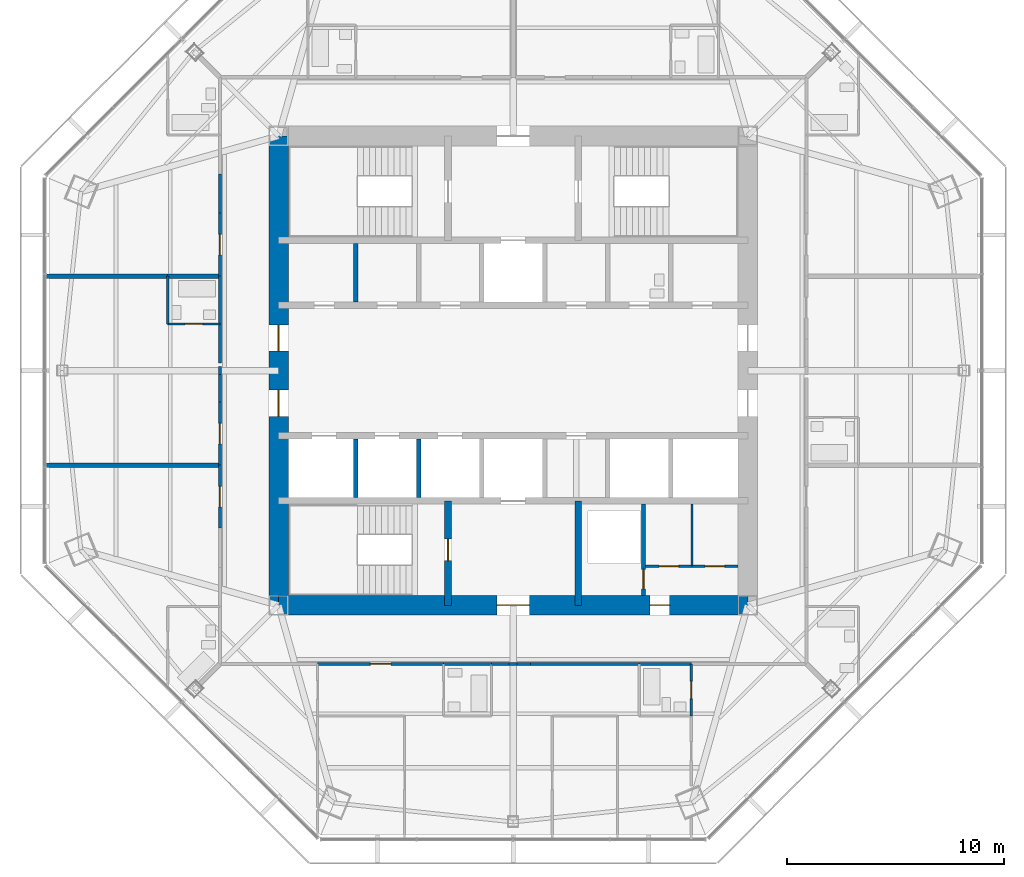
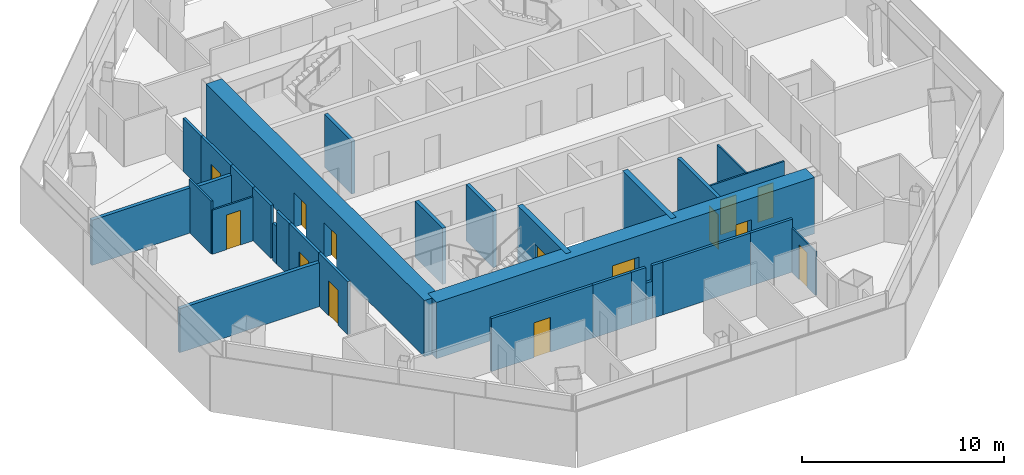
# One storey, part 9 of 15: 31 walls, 14 doors, 14 openings.
"""IFC4 building model written with IfcOpenShell, lengths in metres."""

from ifc_helpers import new_model, si_unit, direction, frame, frame_2d, origin, place, context, subcontext, project, spatial, rectangle, extrude, material, layer, layer_set, type_object, element, fill, save


model = new_model("IFC4")

# Units and contexts
model_context = context("Model", 3, precision=1e-05, world=origin(), true_north=direction((0.0, 1.0)))
body_context = subcontext(model_context, "Body", "Model", "MODEL_VIEW")
ifc_project = project(units=[si_unit("LENGTHUNIT", "METRE"), si_unit("AREAUNIT", "SQUARE_METRE"), si_unit("VOLUMEUNIT", "CUBIC_METRE"), si_unit("PLANEANGLEUNIT", "RADIAN"), si_unit("MASSUNIT", "GRAM", prefix="KILO")], contexts=[model_context])

# Site, building, storey
site_placement = place(None, origin())
site = spatial("IfcSite", under=ifc_project, at=site_placement, CompositionType="ELEMENT")
building_placement = place(site_placement, origin())
building = spatial("IfcBuilding", under=site, at=building_placement, Name="Mashrafa Tower", CompositionType="ELEMENT")
storey_placement = place(building_placement, frame((0.0, 0.0, 227.800048828125)))
storey = spatial("IfcBuildingStorey", under=building, at=storey_placement, Name="L53", CompositionType="ELEMENT", Elevation=227.800048828125)

# Walls
ifc_material_1 = material(Name="Gypsum board on steel studs", Category="steel")
ifc_layer_1 = layer(ifc_material_1, 0.199951171875)
ifc_layer_set_1 = layer_set([ifc_layer_1], Name="Acoustic partition 200 1 hr")
wall_type_1 = type_object("IfcWallType", Name="Acoustic partition 200 1 hr", PredefinedType="PARTITIONING", material=ifc_layer_set_1)
wall_1_placement = place(storey_placement, frame((-15.90087890625, 4.35009765625, 0.0), z_axis=(0.0, 0.0, 1.0), x_axis=(1.0, 0.0, 0.0)))
element("IfcWall", 1, at=wall_1_placement, inside=storey, type_object=wall_type_1, Name="Acoustic wall L53-069", PredefinedType="PARTITIONING", context=body_context, shape_type="SweptSolid", body=[
    extrude(rectangle(XDim=2.40087890625, YDim=0.199951171875, at=frame_2d((1.200439453125, 0.0))), origin(), (0.0, 0.0, 1.0), 2.6640625),
])
wall_2_placement = place(storey_placement, frame((-21.552490234375, 4.35009765625, 0.0), z_axis=(0.0, 0.0, 1.0), x_axis=(1.0, 0.0, 0.0)))
element("IfcWall", 2, at=wall_2_placement, inside=storey, type_object=wall_type_1, Name="Acoustic wall L53-070", PredefinedType="PARTITIONING", context=body_context, shape_type="SweptSolid", body=[
    extrude(rectangle(XDim=5.653564453125, YDim=0.199951171875, at=frame_2d((2.82666015625, 0.0))), origin(), (0.0, 0.0, 1.0), 2.730224609375),
])
wall_3_placement = place(storey_placement, frame((-21.552490234375, -4.35009765625, 0.0), z_axis=(0.0, 0.0, 1.0), x_axis=(1.0, 0.0, 0.0)))
element("IfcWall", 3, at=wall_3_placement, inside=storey, type_object=wall_type_1, Name="Acoustic wall L53-073", PredefinedType="PARTITIONING", context=body_context, shape_type="SweptSolid", body=[
    extrude(rectangle(XDim=8.052490234375, YDim=0.199951171875, at=frame_2d((4.0263671875, 0.0))), origin(), (0.0, 0.0, 1.0), 2.6640625),
])

# Wall, opening, door
ifc_material_2 = material(Name="Concrete masonry unit", Category="masonry")
ifc_layer_2 = layer(ifc_material_2, 0.199951171875)
ifc_layer_set_2 = layer_set([ifc_layer_2], Name="Blockwork wall 200 2 hr")
wall_type_2 = type_object("IfcWallType", Name="Blockwork wall 200 2 hr", PredefinedType="PARTITIONING", material=ifc_layer_set_2)
wall_4_placement = place(storey_placement, frame((6.0, -10.35009765625, 0.0), z_axis=(0.0, 0.0, 1.0), x_axis=(0.0, 1.0, 0.0)))
wall_4 = element("IfcWall", 4, at=wall_4_placement, inside=storey, type_object=wall_type_2, Name="Riser enclosure wall L53", PredefinedType="PARTITIONING", context=body_context, shape_type="SweptSolid", body=[
    extrude(rectangle(XDim=4.2001953125, YDim=0.199951171875, at=frame_2d((2.10009765625, 0.0))), origin(), (0.0, 0.0, 1.0), 3.199951171875),
])
opening_1_placement = place(wall_4_placement, frame((0.300048828125, 0.0, 0.0)))
opening_1 = element("IfcOpeningElement", 5, at=opening_1_placement, cuts=wall_4, Name="Opening 53.036", PredefinedType="OPENING", context=body_context, shape_type="SweptSolid", body=[
    extrude(rectangle(XDim=0.89990234375, YDim=2.10009765625, at=frame_2d((0.449951171875, 1.050048828125))), frame((0.0, 0.10986328125, 0.0), z_axis=(0.0, -1.0, 0.0), x_axis=(1.0, 0.0, 0.0)), (0.0, 0.0, 1.0), 0.219970703125),
])
ifc_material_3 = material(Name="Steel door", Category="steel")
door_type_1 = type_object("IfcDoorType", Name="Service door 900 x 2100 90 min", OperationType="USERDEFINED", PredefinedType="DOOR", material=ifc_material_3)
door_1_placement = place(opening_1_placement, origin())
door_1 = element("IfcDoor", 6, at=door_1_placement, inside=storey, type_object=door_type_1, Name="Riser door L53", OperationType="SINGLE_SWING_LEFT", OverallHeight=2.10009765625, OverallWidth=0.89990234375, PredefinedType="DOOR", context=body_context, shape_type="SweptSolid", body=[
    extrude(rectangle(XDim=0.89990234375, YDim=2.10009765625, at=frame_2d((0.449951171875, 1.050048828125))), frame((0.0, 0.02490234375, 0.0), z_axis=(0.0, -1.0, 0.0), x_axis=(1.0, 0.0, 0.0)), (0.0, 0.0, 1.0), 0.050048828125),
])
fill(opening_1, door_1)

ifc_material_4 = material(Name="Concrete C50/60", Category="concrete")
ifc_layer_3 = layer(ifc_material_4, 0.300048828125)
ifc_layer_set_3 = layer_set([ifc_layer_3], Name="Core wall 300 C50/60")
wall_type_3 = type_object("IfcWallType", Name="Core wall 300 C50/60", PredefinedType="SOLIDWALL", material=ifc_layer_set_3)
wall_5_placement = place(storey_placement, frame((-3.0, -6.0, 0.0), z_axis=(0.0, 0.0, 1.0), x_axis=(0.0, -1.0, 0.0)))
wall_5 = element("IfcWall", 7, at=wall_5_placement, inside=storey, type_object=wall_type_3, Name="Core wall CX-SW L53", PredefinedType="SOLIDWALL", context=body_context, shape_type="SweptSolid", body=[
    extrude(rectangle(XDim=4.800048828125, YDim=0.300048828125, at=frame_2d((2.39990234375, 0.0))), origin(), (0.0, 0.0, 1.0), 3.39990234375),
])
opening_2_placement = place(wall_5_placement, frame((1.75, 0.0, 0.0)))
opening_2 = element("IfcOpeningElement", 8, at=opening_2_placement, cuts=wall_5, Name="Opening 53.034", PredefinedType="OPENING", context=body_context, shape_type="SweptSolid", body=[
    extrude(rectangle(XDim=1.0, YDim=2.10009765625, at=frame_2d((0.5, 1.050048828125))), frame((0.0, 0.159912109375, 0.0), z_axis=(0.0, -1.0, 0.0), x_axis=(1.0, 0.0, 0.0)), (0.0, 0.0, 1.0), 0.320068359375),
])
ifc_material_5 = material(Name="Steel door", Category="steel")
door_type_2 = type_object("IfcDoorType", Name="Stair door 1000 x 2100 90 min", OperationType="USERDEFINED", PredefinedType="DOOR", material=ifc_material_5)
door_2_placement = place(opening_2_placement, frame((1.0, 0.0, 0.0), z_axis=(0.0, 0.0, 1.0), x_axis=(-1.0, 0.0, 0.0)))
door_2 = element("IfcDoor", 9, at=door_2_placement, inside=storey, type_object=door_type_2, Name="Stair S3 door L53", OperationType="SINGLE_SWING_RIGHT", OverallHeight=2.10009765625, OverallWidth=1.0, PredefinedType="DOOR", context=body_context, shape_type="SweptSolid", body=[
    extrude(rectangle(XDim=1.0, YDim=2.10009765625, at=frame_2d((0.5, 1.050048828125))), frame((0.0, 0.02490234375, 0.0), z_axis=(0.0, -1.0, 0.0), x_axis=(1.0, 0.0, 0.0)), (0.0, 0.0, 1.0), 0.050048828125),
])
fill(opening_2, door_2)

# Wall
wall_6_placement = place(storey_placement, frame((3.0, -6.0, 0.0), z_axis=(0.0, 0.0, 1.0), x_axis=(0.0, -1.0, 0.0)))
element("IfcWall", 10, at=wall_6_placement, inside=storey, type_object=wall_type_3, Name="Core wall CX-SE L53", PredefinedType="SOLIDWALL", context=body_context, shape_type="SweptSolid", body=[
    extrude(rectangle(XDim=4.800048828125, YDim=0.300048828125, at=frame_2d((2.39990234375, 0.0))), origin(), (0.0, 0.0, 1.0), 3.39990234375),
])

# Wall, openings, doors
ifc_material_6 = material(Name="Concrete C50/60", Category="concrete")
ifc_layer_4 = layer(ifc_material_6, 0.89990234375)
ifc_layer_set_4 = layer_set([ifc_layer_4], Name="Core wall 900 C50/60")
wall_type_4 = type_object("IfcWallType", Name="Core wall 900 C50/60", PredefinedType="SOLIDWALL", material=ifc_layer_set_4)
wall_7_placement = place(storey_placement, frame((-10.800048828125, -10.800048828125, 0.0), z_axis=(0.0, 0.0, 1.0), x_axis=(1.0, 0.0, 0.0)))
wall_7 = element("IfcWall", 11, at=wall_7_placement, inside=storey, type_object=wall_type_4, Name="Core wall CW-S L53", PredefinedType="SOLIDWALL", context=body_context, shape_type="SweptSolid", body=[
    extrude(rectangle(XDim=21.60009765625, YDim=0.89990234375, at=frame_2d((10.800048828125, 0.0))), origin(), (0.0, 0.0, 1.0), 3.39990234375),
])
opening_3_placement = place(wall_7_placement, frame((10.050048828125, 0.0, 0.0)))
opening_3 = element("IfcOpeningElement", 12, at=opening_3_placement, cuts=wall_7, Name="Opening 53.031", PredefinedType="OPENING", context=body_context, shape_type="SweptSolid", body=[
    extrude(rectangle(XDim=1.5, YDim=2.10009765625, at=frame_2d((0.75, 1.050048828125))), frame((0.0, 0.4599609375, 0.0), z_axis=(0.0, -1.0, 0.0), x_axis=(1.0, 0.0, 0.0)), (0.0, 0.0, 1.0), 0.919921875),
])
opening_4_placement = place(wall_7_placement, frame((17.10009765625, 0.0, 0.0)))
opening_4 = element("IfcOpeningElement", 13, at=opening_4_placement, cuts=wall_7, Name="Opening 53.035", PredefinedType="OPENING", context=body_context, shape_type="SweptSolid", body=[
    extrude(rectangle(XDim=0.89990234375, YDim=2.10009765625, at=frame_2d((0.449951171875, 1.050048828125))), frame((0.0, 0.4599609375, 0.0), z_axis=(0.0, -1.0, 0.0), x_axis=(1.0, 0.0, 0.0)), (0.0, 0.0, 1.0), 0.919921875),
])
ifc_material_7 = material(Name="Steel door", Category="steel")
door_type_3 = type_object("IfcDoorType", Name="Lobby door pair 1500 x 2100 90 min", OperationType="DOUBLE_DOOR_SINGLE_SWING", PredefinedType="DOOR", material=ifc_material_7)
door_3_placement = place(opening_3_placement, origin())
door_3 = element("IfcDoor", 14, at=door_3_placement, inside=storey, type_object=door_type_3, Name="Fire-fighting lobby F2 door L53", OperationType="DOUBLE_DOOR_SINGLE_SWING", OverallHeight=2.10009765625, OverallWidth=1.5, PredefinedType="DOOR", context=body_context, shape_type="SweptSolid", body=[
    extrude(rectangle(XDim=1.5, YDim=2.10009765625, at=frame_2d((0.75, 1.050048828125))), frame((0.0, 0.02490234375, 0.0), z_axis=(0.0, -1.0, 0.0), x_axis=(1.0, 0.0, 0.0)), (0.0, 0.0, 1.0), 0.050048828125),
])
fill(opening_3, door_3)
door_4_placement = place(opening_4_placement, frame((0.89990234375, 0.0, 0.0), z_axis=(0.0, 0.0, 1.0), x_axis=(-1.0, 0.0, 0.0)))
door_4 = element("IfcDoor", 15, at=door_4_placement, inside=storey, type_object=door_type_1, Name="Services Lobby L53 door", OperationType="SINGLE_SWING_LEFT", OverallHeight=2.10009765625, OverallWidth=0.89990234375, PredefinedType="DOOR", context=body_context, shape_type="SweptSolid", body=[
    extrude(rectangle(XDim=0.89990234375, YDim=2.10009765625, at=frame_2d((0.449951171875, 1.050048828125))), frame((0.0, 0.02490234375, 0.0), z_axis=(0.0, -1.0, 0.0), x_axis=(1.0, 0.0, 0.0)), (0.0, 0.0, 1.0), 0.050048828125),
])
fill(opening_4, door_4)

wall_8_placement = place(storey_placement, frame((-10.800048828125, 10.800048828125, 0.0), z_axis=(0.0, 0.0, 1.0), x_axis=(0.0, -1.0, 0.0)))
wall_8 = element("IfcWall", 16, at=wall_8_placement, inside=storey, type_object=wall_type_4, Name="Core wall CW-W L53", PredefinedType="SOLIDWALL", context=body_context, shape_type="SweptSolid", body=[
    extrude(rectangle(XDim=21.60009765625, YDim=0.89990234375, at=frame_2d((10.800048828125, 0.0))), origin(), (0.0, 0.0, 1.0), 3.39990234375),
])
opening_5_placement = place(wall_8_placement, frame((8.699951171875, 0.0, 0.0)))
opening_5 = element("IfcOpeningElement", 17, at=opening_5_placement, cuts=wall_8, Name="Opening 53.027", PredefinedType="OPENING", context=body_context, shape_type="SweptSolid", body=[
    extrude(rectangle(XDim=1.199951171875, YDim=2.10009765625, at=frame_2d((0.60009765625, 1.050048828125))), frame((0.0, 0.4599609375, 0.0), z_axis=(0.0, -1.0, 0.0), x_axis=(1.0, 0.0, 0.0)), (0.0, 0.0, 1.0), 0.919921875),
])
opening_6_placement = place(wall_8_placement, frame((11.699951171875, 0.0, 0.0)))
opening_6 = element("IfcOpeningElement", 18, at=opening_6_placement, cuts=wall_8, Name="Opening 53.029", PredefinedType="OPENING", context=body_context, shape_type="SweptSolid", body=[
    extrude(rectangle(XDim=1.199951171875, YDim=2.10009765625, at=frame_2d((0.60009765625, 1.050048828125))), frame((0.0, 0.4599609375, 0.0), z_axis=(0.0, -1.0, 0.0), x_axis=(1.0, 0.0, 0.0)), (0.0, 0.0, 1.0), 0.919921875),
])
ifc_material_8 = material(Name="Steel door", Category="steel")
door_type_4 = type_object("IfcDoorType", Name="Lift hall door 1200 x 2100 90 min", OperationType="USERDEFINED", PredefinedType="DOOR", material=ifc_material_8)
door_5_placement = place(opening_5_placement, frame((1.199951171875, 0.0, 0.0), z_axis=(0.0, 0.0, 1.0), x_axis=(-1.0, 0.0, 0.0)))
door_5 = element("IfcDoor", 19, at=door_5_placement, inside=storey, type_object=door_type_4, Name="Lift hall door west L53", OperationType="SINGLE_SWING_RIGHT", OverallHeight=2.10009765625, OverallWidth=1.199951171875, PredefinedType="DOOR", context=body_context, shape_type="SweptSolid", body=[
    extrude(rectangle(XDim=1.199951171875, YDim=2.10009765625, at=frame_2d((0.60009765625, 1.050048828125))), frame((0.0, 0.02490234375, 0.0), z_axis=(0.0, -1.0, 0.0), x_axis=(1.0, 0.0, 0.0)), (0.0, 0.0, 1.0), 0.050048828125),
])
fill(opening_5, door_5)
door_6_placement = place(opening_6_placement, frame((1.199951171875, 0.0, 0.0), z_axis=(0.0, 0.0, 1.0), x_axis=(-1.0, 0.0, 0.0)))
door_6 = element("IfcDoor", 20, at=door_6_placement, inside=storey, type_object=door_type_4, Name="Lift hall door west L53", OperationType="SINGLE_SWING_LEFT", OverallHeight=2.10009765625, OverallWidth=1.199951171875, PredefinedType="DOOR", context=body_context, shape_type="SweptSolid", body=[
    extrude(rectangle(XDim=1.199951171875, YDim=2.10009765625, at=frame_2d((0.60009765625, 1.050048828125))), frame((0.0, 0.02490234375, 0.0), z_axis=(0.0, -1.0, 0.0), x_axis=(1.0, 0.0, 0.0)), (0.0, 0.0, 1.0), 0.050048828125),
])
fill(opening_6, door_6)

# Wall
ifc_material_9 = material(Name="Gypsum board on steel studs", Category="steel")
ifc_layer_5 = layer(ifc_material_9, 0.14990234375)
ifc_layer_set_5 = layer_set([ifc_layer_5], Name="Corridor partition 150 1 hr")
wall_type_5 = type_object("IfcWallType", Name="Corridor partition 150 1 hr", PredefinedType="PARTITIONING", material=ifc_layer_set_5)
wall_9_placement = place(storey_placement, frame((-13.5, 9.051025390625, 0.0), z_axis=(0.0, 0.0, 1.0), x_axis=(0.0, -1.0, 0.0)))
element("IfcWall", 21, at=wall_9_placement, inside=storey, type_object=wall_type_5, Name="Corridor wall L53-025", PredefinedType="PARTITIONING", context=body_context, shape_type="SweptSolid", body=[
    extrude(rectangle(XDim=1.802001953125, YDim=0.14990234375, at=frame_2d((0.90087890625, 0.0))), origin(), (0.0, 0.0, 1.0), 3.199951171875),
])

# Wall, opening, door
wall_10_placement = place(storey_placement, frame((-13.5, 7.2509765625, 0.0), z_axis=(0.0, 0.0, 1.0), x_axis=(0.0, -1.0, 0.0)))
wall_10 = element("IfcWall", 22, at=wall_10_placement, inside=storey, type_object=wall_type_5, Name="Corridor wall L53-026", PredefinedType="PARTITIONING", context=body_context, shape_type="SweptSolid", body=[
    extrude(rectangle(XDim=2.90185546875, YDim=0.14990234375, at=frame_2d((1.450927734375, 0.0))), origin(), (0.0, 0.0, 1.0), 3.199951171875),
])
opening_7_placement = place(wall_10_placement, frame((0.97607421875, 0.0, 0.0)))
opening_7 = element("IfcOpeningElement", 23, at=opening_7_placement, cuts=wall_10, Name="Opening 53.014", PredefinedType="OPENING", context=body_context, shape_type="SweptSolid", body=[
    extrude(rectangle(XDim=0.949951171875, YDim=2.10009765625, at=frame_2d((0.47509765625, 1.050048828125))), frame((0.0, 0.0849609375, 0.0), z_axis=(0.0, -1.0, 0.0), x_axis=(1.0, 0.0, 0.0)), (0.0, 0.0, 1.0), 0.169921875),
])
ifc_material_10 = material(Name="Steel door", Category="steel")
door_type_5 = type_object("IfcDoorType", Name="Residence entrance door 950 x 2100 20 min", OperationType="USERDEFINED", PredefinedType="DOOR", material=ifc_material_10)
door_7_placement = place(opening_7_placement, frame((0.949951171875, 0.0, 0.0), z_axis=(0.0, 0.0, 1.0), x_axis=(-1.0, 0.0, 0.0)))
door_7 = element("IfcDoor", 24, at=door_7_placement, inside=storey, type_object=door_type_5, Name="Apartment 5306 Studio Living Room door", OperationType="SINGLE_SWING_LEFT", OverallHeight=2.10009765625, OverallWidth=0.949951171875, PredefinedType="DOOR", context=body_context, shape_type="SweptSolid", body=[
    extrude(rectangle(XDim=0.949951171875, YDim=2.10009765625, at=frame_2d((0.47509765625, 1.050048828125))), frame((0.0, 0.02490234375, 0.0), z_axis=(0.0, -1.0, 0.0), x_axis=(1.0, 0.0, 0.0)), (0.0, 0.0, 1.0), 0.050048828125),
])
fill(opening_7, door_7)

# Walls
wall_11_placement = place(storey_placement, frame((-13.5, 4.35107421875, 0.0), z_axis=(0.0, 0.0, 1.0), x_axis=(0.0, -1.0, 0.0)))
element("IfcWall", 25, at=wall_11_placement, inside=storey, type_object=wall_type_5, Name="Corridor wall L53-028", PredefinedType="PARTITIONING", context=body_context, shape_type="SweptSolid", body=[
    extrude(rectangle(XDim=2.2021484375, YDim=0.14990234375, at=frame_2d((1.10107421875, 0.0))), origin(), (0.0, 0.0, 1.0), 3.199951171875),
])
wall_12_placement = place(storey_placement, frame((-13.5, -0.18359375, 0.0), z_axis=(0.0, 0.0, 1.0), x_axis=(0.0, -1.0, 0.0)))
element("IfcWall", 26, at=wall_12_placement, inside=storey, type_object=wall_type_5, Name="Corridor wall L53-029", PredefinedType="PARTITIONING", context=body_context, shape_type="SweptSolid", body=[
    extrude(rectangle(XDim=1.267333984375, YDim=0.14990234375, at=frame_2d((0.6337890625, 0.0))), origin(), (0.0, 0.0, 1.0), 3.199951171875),
])
wall_13_placement = place(storey_placement, frame((-13.5, 0.18359375, 0.0), z_axis=(0.0, 0.0, 1.0), x_axis=(0.0, -1.0, 0.0)))
element("IfcWall", 27, at=wall_13_placement, inside=storey, type_object=wall_type_5, Name="Corridor wall L53-030", PredefinedType="PARTITIONING", context=body_context, shape_type="SweptSolid", body=[
    extrude(rectangle(XDim=0.3671875, YDim=0.14990234375, at=frame_2d((0.18359375, 0.0))), origin(), (0.0, 0.0, 1.0), 2.2529296875),
])

# Wall, opening, door
wall_14_placement = place(storey_placement, frame((-13.5, -1.448974609375, 0.0), z_axis=(0.0, 0.0, 1.0), x_axis=(0.0, -1.0, 0.0)))
wall_14 = element("IfcWall", 28, at=wall_14_placement, inside=storey, type_object=wall_type_5, Name="Corridor wall L53-031", PredefinedType="PARTITIONING", context=body_context, shape_type="SweptSolid", body=[
    extrude(rectangle(XDim=2.902099609375, YDim=0.14990234375, at=frame_2d((1.451171875, 0.0))), origin(), (0.0, 0.0, 1.0), 3.199951171875),
])
opening_8_placement = place(wall_14_placement, frame((0.97607421875, 0.0, 0.0)))
opening_8 = element("IfcOpeningElement", 29, at=opening_8_placement, cuts=wall_14, Name="Opening 53.016", PredefinedType="OPENING", context=body_context, shape_type="SweptSolid", body=[
    extrude(rectangle(XDim=0.949951171875, YDim=2.10009765625, at=frame_2d((0.47509765625, 1.050048828125))), frame((0.0, 0.0849609375, 0.0), z_axis=(0.0, -1.0, 0.0), x_axis=(1.0, 0.0, 0.0)), (0.0, 0.0, 1.0), 0.169921875),
])
door_8_placement = place(opening_8_placement, frame((0.949951171875, 0.0, 0.0), z_axis=(0.0, 0.0, 1.0), x_axis=(-1.0, 0.0, 0.0)))
door_8 = element("IfcDoor", 30, at=door_8_placement, inside=storey, type_object=door_type_5, Name="Apartment 5307 Studio Living Room door", OperationType="SINGLE_SWING_LEFT", OverallHeight=2.10009765625, OverallWidth=0.949951171875, PredefinedType="DOOR", context=body_context, shape_type="SweptSolid", body=[
    extrude(rectangle(XDim=0.949951171875, YDim=2.10009765625, at=frame_2d((0.47509765625, 1.050048828125))), frame((0.0, 0.02490234375, 0.0), z_axis=(0.0, -1.0, 0.0), x_axis=(1.0, 0.0, 0.0)), (0.0, 0.0, 1.0), 0.050048828125),
])
fill(opening_8, door_8)

# Wall
wall_15_placement = place(storey_placement, frame((-13.5, 2.15087890625, 0.0), z_axis=(0.0, 0.0, 1.0), x_axis=(0.0, -1.0, 0.0)))
element("IfcWall", 31, at=wall_15_placement, inside=storey, type_object=wall_type_5, Name="Corridor wall L53-032", PredefinedType="PARTITIONING", context=body_context, shape_type="SweptSolid", body=[
    extrude(rectangle(XDim=1.8017578125, YDim=0.14990234375, at=frame_2d((0.90087890625, 0.0))), origin(), (0.0, 0.0, 1.0), 3.199951171875),
])

# Wall, opening, door
wall_16_placement = place(storey_placement, frame((-13.5, -4.34912109375, 0.0), z_axis=(0.0, 0.0, 1.0), x_axis=(0.0, -1.0, 0.0)))
wall_16 = element("IfcWall", 32, at=wall_16_placement, inside=storey, type_object=wall_type_5, Name="Corridor wall L53-036", PredefinedType="PARTITIONING", context=body_context, shape_type="SweptSolid", body=[
    extrude(rectangle(XDim=2.90185546875, YDim=0.14990234375, at=frame_2d((1.450927734375, 0.0))), origin(), (0.0, 0.0, 1.0), 3.199951171875),
])
opening_9_placement = place(wall_16_placement, frame((0.97607421875, 0.0, 0.0)))
opening_9 = element("IfcOpeningElement", 33, at=opening_9_placement, cuts=wall_16, Name="Opening 53.018", PredefinedType="OPENING", context=body_context, shape_type="SweptSolid", body=[
    extrude(rectangle(XDim=0.949951171875, YDim=2.10009765625, at=frame_2d((0.47509765625, 1.050048828125))), frame((0.0, 0.0849609375, 0.0), z_axis=(0.0, -1.0, 0.0), x_axis=(1.0, 0.0, 0.0)), (0.0, 0.0, 1.0), 0.169921875),
])
door_9_placement = place(opening_9_placement, frame((0.949951171875, 0.0, 0.0), z_axis=(0.0, 0.0, 1.0), x_axis=(-1.0, 0.0, 0.0)))
door_9 = element("IfcDoor", 34, at=door_9_placement, inside=storey, type_object=door_type_5, Name="Apartment 5308 Studio Living Room door", OperationType="SINGLE_SWING_RIGHT", OverallHeight=2.10009765625, OverallWidth=0.949951171875, PredefinedType="DOOR", context=body_context, shape_type="SweptSolid", body=[
    extrude(rectangle(XDim=0.949951171875, YDim=2.10009765625, at=frame_2d((0.47509765625, 1.050048828125))), frame((0.0, 0.02490234375, 0.0), z_axis=(0.0, -1.0, 0.0), x_axis=(1.0, 0.0, 0.0)), (0.0, 0.0, 1.0), 0.050048828125),
])
fill(opening_9, door_9)

# Walls
wall_17_placement = place(storey_placement, frame((-3.200927734375, -13.5, 0.0), z_axis=(0.0, 0.0, 1.0), x_axis=(1.0, 0.0, 0.0)))
element("IfcWall", 35, at=wall_17_placement, inside=storey, type_object=wall_type_5, Name="Corridor wall L53-038", PredefinedType="PARTITIONING", context=body_context, shape_type="SweptSolid", body=[
    extrude(rectangle(XDim=2.201904296875, YDim=0.14990234375, at=frame_2d((1.10107421875, 0.0))), origin(), (0.0, 0.0, 1.0), 3.199951171875),
])
wall_18_placement = place(storey_placement, frame((-1.0009765625, -13.5, 0.0), z_axis=(0.0, 0.0, 1.0), x_axis=(1.0, 0.0, 0.0)))
element("IfcWall", 36, at=wall_18_placement, inside=storey, type_object=wall_type_5, Name="Corridor wall L53-039", PredefinedType="PARTITIONING", context=body_context, shape_type="SweptSolid", body=[
    extrude(rectangle(XDim=0.8173828125, YDim=0.14990234375, at=frame_2d((0.40869140625, 0.0))), origin(), (0.0, 0.0, 1.0), 3.199951171875),
])
wall_19_placement = place(storey_placement, frame((0.18359375, -13.5, 0.0), z_axis=(0.0, 0.0, 1.0), x_axis=(1.0, 0.0, 0.0)))
element("IfcWall", 37, at=wall_19_placement, inside=storey, type_object=wall_type_5, Name="Corridor wall L53-040", PredefinedType="PARTITIONING", context=body_context, shape_type="SweptSolid", body=[
    extrude(rectangle(XDim=0.617431640625, YDim=0.14990234375, at=frame_2d((0.30859375, 0.0))), origin(), (0.0, 0.0, 1.0), 3.199951171875),
])
wall_20_placement = place(storey_placement, frame((-0.18359375, -13.5, 0.0), z_axis=(0.0, 0.0, 1.0), x_axis=(1.0, 0.0, 0.0)))
element("IfcWall", 38, at=wall_20_placement, inside=storey, type_object=wall_type_5, Name="Corridor wall L53-041", PredefinedType="PARTITIONING", context=body_context, shape_type="SweptSolid", body=[
    extrude(rectangle(XDim=0.3671875, YDim=0.14990234375, at=frame_2d((0.18359375, 0.0))), origin(), (0.0, 0.0, 1.0), 2.2529296875),
])
wall_21_placement = place(storey_placement, frame((5.799072265625, -13.5, 0.0), z_axis=(0.0, 0.0, 1.0), x_axis=(1.0, 0.0, 0.0)))
element("IfcWall", 39, at=wall_21_placement, inside=storey, type_object=wall_type_5, Name="Corridor wall L53-042", PredefinedType="PARTITIONING", context=body_context, shape_type="SweptSolid", body=[
    extrude(rectangle(XDim=2.40185546875, YDim=0.14990234375, at=frame_2d((1.200927734375, 0.0))), origin(), (0.0, 0.0, 1.0), 3.199951171875),
])

# Wall, opening, door
wall_22_placement = place(storey_placement, frame((-9.0009765625, -13.5, 0.0), z_axis=(0.0, 0.0, 1.0), x_axis=(1.0, 0.0, 0.0)))
wall_22 = element("IfcWall", 40, at=wall_22_placement, inside=storey, type_object=wall_type_5, Name="Corridor wall L53-044", PredefinedType="PARTITIONING", context=body_context, shape_type="SweptSolid", body=[
    extrude(rectangle(XDim=5.802001953125, YDim=0.14990234375, at=frame_2d((2.90087890625, 0.0))), origin(), (0.0, 0.0, 1.0), 3.199951171875),
])
opening_10_placement = place(wall_22_placement, frame((2.426025390625, 0.0, 0.0)))
opening_10 = element("IfcOpeningElement", 41, at=opening_10_placement, cuts=wall_22, Name="Opening 53.024", PredefinedType="OPENING", context=body_context, shape_type="SweptSolid", body=[
    extrude(rectangle(XDim=0.949951171875, YDim=2.10009765625, at=frame_2d((0.47509765625, 1.050048828125))), frame((0.0, 0.0849609375, 0.0), z_axis=(0.0, -1.0, 0.0), x_axis=(1.0, 0.0, 0.0)), (0.0, 0.0, 1.0), 0.169921875),
])
door_10_placement = place(opening_10_placement, frame((0.949951171875, 0.0, 0.0), z_axis=(0.0, 0.0, 1.0), x_axis=(-1.0, 0.0, 0.0)))
door_10 = element("IfcDoor", 42, at=door_10_placement, inside=storey, type_object=door_type_5, Name="Apartment 5309 Living Room door", OperationType="SINGLE_SWING_RIGHT", OverallHeight=2.10009765625, OverallWidth=0.949951171875, PredefinedType="DOOR", context=body_context, shape_type="SweptSolid", body=[
    extrude(rectangle(XDim=0.949951171875, YDim=2.10009765625, at=frame_2d((0.47509765625, 1.050048828125))), frame((0.0, 0.02490234375, 0.0), z_axis=(0.0, -1.0, 0.0), x_axis=(1.0, 0.0, 0.0)), (0.0, 0.0, 1.0), 0.050048828125),
])
fill(opening_10, door_10)

# Walls
wall_23_placement = place(storey_placement, frame((0.799072265625, -13.5, 0.0), z_axis=(0.0, 0.0, 1.0), x_axis=(1.0, 0.0, 0.0)))
element("IfcWall", 43, at=wall_23_placement, inside=storey, type_object=wall_type_5, Name="Corridor wall L53-045", PredefinedType="PARTITIONING", context=body_context, shape_type="SweptSolid", body=[
    extrude(rectangle(XDim=5.001953125, YDim=0.14990234375, at=frame_2d((2.5009765625, 0.0))), origin(), (0.0, 0.0, 1.0), 3.199951171875),
])
ifc_material_11 = material(Name="Gypsum board on steel studs", Category="steel")
ifc_layer_6 = layer(ifc_material_11, 0.10009765625)
ifc_layer_set_6 = layer_set([ifc_layer_6], Name="Partition 100")
wall_type_6 = type_object("IfcWallType", Name="Partition 100", PredefinedType="PARTITIONING", material=ifc_layer_set_6)
wall_24_placement = place(storey_placement, frame((-15.89990234375, 4.35009765625, 0.0), z_axis=(0.0, 0.0, 1.0), x_axis=(0.0, -1.0, 0.0)))
element("IfcWall", 44, at=wall_24_placement, inside=storey, type_object=wall_type_6, Name="Partition wall L53-071", PredefinedType="PARTITIONING", context=body_context, shape_type="SweptSolid", body=[
    extrude(rectangle(XDim=2.2001953125, YDim=0.10009765625, at=frame_2d((1.10009765625, 0.0))), origin(), (0.0, 0.0, 1.0), 3.199951171875),
])

# Wall, opening, door
wall_25_placement = place(storey_placement, frame((-15.89990234375, 2.14990234375, 0.0), z_axis=(0.0, 0.0, 1.0), x_axis=(1.0, 0.0, 0.0)))
wall_25 = element("IfcWall", 45, at=wall_25_placement, inside=storey, type_object=wall_type_6, Name="Partition wall L53-072", PredefinedType="PARTITIONING", context=body_context, shape_type="SweptSolid", body=[
    extrude(rectangle(XDim=2.39990234375, YDim=0.10009765625, at=frame_2d((1.199951171875, 0.0))), origin(), (0.0, 0.0, 1.0), 2.6640625),
])
opening_11_placement = place(wall_25_placement, frame((0.800048828125, 0.0, 0.0)))
opening_11 = element("IfcOpeningElement", 46, at=opening_11_placement, cuts=wall_25, Name="Opening 53.015", PredefinedType="OPENING", context=body_context, shape_type="SweptSolid", body=[
    extrude(rectangle(XDim=0.800048828125, YDim=2.10009765625, at=frame_2d((0.39990234375, 1.050048828125))), frame((0.0, 0.06005859375, 0.0), z_axis=(0.0, -1.0, 0.0), x_axis=(1.0, 0.0, 0.0)), (0.0, 0.0, 1.0), 0.1201171875),
])
ifc_material_12 = material(Name="Timber door", Category="wood")
door_type_6 = type_object("IfcDoorType", Name="Bathroom door 800 x 2100", OperationType="USERDEFINED", PredefinedType="DOOR", material=ifc_material_12)
door_11_placement = place(opening_11_placement, origin())
door_11 = element("IfcDoor", 47, at=door_11_placement, inside=storey, type_object=door_type_6, Name="Apartment 5307 Bathroom door", OperationType="SINGLE_SWING_LEFT", OverallHeight=2.10009765625, OverallWidth=0.800048828125, PredefinedType="DOOR", context=body_context, shape_type="SweptSolid", body=[
    extrude(rectangle(XDim=0.800048828125, YDim=2.10009765625, at=frame_2d((0.39990234375, 1.050048828125))), frame((0.0, 0.02490234375, 0.0), z_axis=(0.0, -1.0, 0.0), x_axis=(1.0, 0.0, 0.0)), (0.0, 0.0, 1.0), 0.050048828125),
])
fill(opening_11, door_11)

wall_26_placement = place(storey_placement, frame((8.199951171875, -15.89990234375, 0.0), z_axis=(0.0, 0.0, 1.0), x_axis=(0.0, 1.0, 0.0)))
wall_26 = element("IfcWall", 48, at=wall_26_placement, inside=storey, type_object=wall_type_6, Name="Partition wall L53-085", PredefinedType="PARTITIONING", context=body_context, shape_type="SweptSolid", body=[
    extrude(rectangle(XDim=2.39990234375, YDim=0.10009765625, at=frame_2d((1.199951171875, 0.0))), origin(), (0.0, 0.0, 1.0), 2.6640625),
])
opening_12_placement = place(wall_26_placement, frame((0.800048828125, 0.0, 0.0)))
opening_12 = element("IfcOpeningElement", 49, at=opening_12_placement, cuts=wall_26, Name="Opening 53.022", PredefinedType="OPENING", context=body_context, shape_type="SweptSolid", body=[
    extrude(rectangle(XDim=0.800048828125, YDim=2.10009765625, at=frame_2d((0.39990234375, 1.050048828125))), frame((0.0, 0.06005859375, 0.0), z_axis=(0.0, -1.0, 0.0), x_axis=(1.0, 0.0, 0.0)), (0.0, 0.0, 1.0), 0.1201171875),
])
door_12_placement = place(opening_12_placement, origin())
door_12 = element("IfcDoor", 50, at=door_12_placement, inside=storey, type_object=door_type_6, Name="Apartment 5309 En-suite Bathroom door", OperationType="SINGLE_SWING_LEFT", OverallHeight=2.10009765625, OverallWidth=0.800048828125, PredefinedType="DOOR", context=body_context, shape_type="SweptSolid", body=[
    extrude(rectangle(XDim=0.800048828125, YDim=2.10009765625, at=frame_2d((0.39990234375, 1.050048828125))), frame((0.0, 0.02490234375, 0.0), z_axis=(0.0, -1.0, 0.0), x_axis=(1.0, 0.0, 0.0)), (0.0, 0.0, 1.0), 0.050048828125),
])
fill(opening_12, door_12)

# Wall, openings, doors
ifc_material_13 = material(Name="Gypsum board on steel studs", Category="steel")
ifc_layer_7 = layer(ifc_material_13, 0.10009765625)
ifc_layer_set_7 = layer_set([ifc_layer_7], Name="Partition 100 1 hr")
wall_type_7 = type_object("IfcWallType", Name="Partition 100 1 hr", PredefinedType="PARTITIONING", material=ifc_layer_set_7)
wall_27_placement = place(storey_placement, frame((6.10009765625, -9.0, 0.0), z_axis=(0.0, 0.0, 1.0), x_axis=(1.0, 0.0, 0.0)))
wall_27 = element("IfcWall", 51, at=wall_27_placement, inside=storey, type_object=wall_type_7, Name="Services lobby partition A L53", PredefinedType="PARTITIONING", context=body_context, shape_type="SweptSolid", body=[
    extrude(rectangle(XDim=4.25, YDim=0.10009765625, at=frame_2d((2.125, 0.0))), origin(), (0.0, 0.0, 1.0), 3.199951171875),
])
opening_13_placement = place(wall_27_placement, frame((0.612548828125, 0.0, 0.0)))
opening_13 = element("IfcOpeningElement", 52, at=opening_13_placement, cuts=wall_27, Name="Opening 53.037", PredefinedType="OPENING", context=body_context, shape_type="SweptSolid", body=[
    extrude(rectangle(XDim=0.89990234375, YDim=2.10009765625, at=frame_2d((0.449951171875, 1.050048828125))), frame((0.0, 0.06005859375, 0.0), z_axis=(0.0, -1.0, 0.0), x_axis=(1.0, 0.0, 0.0)), (0.0, 0.0, 1.0), 0.1201171875),
])
opening_14_placement = place(wall_27_placement, frame((2.737548828125, 0.0, 0.0)))
opening_14 = element("IfcOpeningElement", 53, at=opening_14_placement, cuts=wall_27, Name="Opening 53.038", PredefinedType="OPENING", context=body_context, shape_type="SweptSolid", body=[
    extrude(rectangle(XDim=0.89990234375, YDim=2.10009765625, at=frame_2d((0.449951171875, 1.050048828125))), frame((0.0, 0.06005859375, 0.0), z_axis=(0.0, -1.0, 0.0), x_axis=(1.0, 0.0, 0.0)), (0.0, 0.0, 1.0), 0.1201171875),
])
ifc_material_14 = material(Name="Timber door", Category="wood")
door_type_7 = type_object("IfcDoorType", Name="Store door 900 x 2100", OperationType="USERDEFINED", PredefinedType="DOOR", material=ifc_material_14)
door_13_placement = place(opening_13_placement, origin())
door_13 = element("IfcDoor", 54, at=door_13_placement, inside=storey, type_object=door_type_7, Name="Cleaner's Store L53 door", OperationType="SINGLE_SWING_RIGHT", OverallHeight=2.10009765625, OverallWidth=0.89990234375, PredefinedType="DOOR", context=body_context, shape_type="SweptSolid", body=[
    extrude(rectangle(XDim=0.89990234375, YDim=2.10009765625, at=frame_2d((0.449951171875, 1.050048828125))), frame((0.0, 0.02490234375, 0.0), z_axis=(0.0, -1.0, 0.0), x_axis=(1.0, 0.0, 0.0)), (0.0, 0.0, 1.0), 0.050048828125),
])
fill(opening_13, door_13)
door_14_placement = place(opening_14_placement, origin())
door_14 = element("IfcDoor", 55, at=door_14_placement, inside=storey, type_object=door_type_7, Name="Building Services Store L53 door", OperationType="SINGLE_SWING_LEFT", OverallHeight=2.10009765625, OverallWidth=0.89990234375, PredefinedType="DOOR", context=body_context, shape_type="SweptSolid", body=[
    extrude(rectangle(XDim=0.89990234375, YDim=2.10009765625, at=frame_2d((0.449951171875, 1.050048828125))), frame((0.0, 0.02490234375, 0.0), z_axis=(0.0, -1.0, 0.0), x_axis=(1.0, 0.0, 0.0)), (0.0, 0.0, 1.0), 0.050048828125),
])
fill(opening_14, door_14)

# Walls
wall_28_placement = place(storey_placement, frame((8.22509765625, -9.0, 0.0), z_axis=(0.0, 0.0, 1.0), x_axis=(0.0, 1.0, 0.0)))
element("IfcWall", 56, at=wall_28_placement, inside=storey, type_object=wall_type_7, Name="Services lobby partition B L53", PredefinedType="PARTITIONING", context=body_context, shape_type="SweptSolid", body=[
    extrude(rectangle(XDim=2.85009765625, YDim=0.10009765625, at=frame_2d((1.425048828125, 0.0))), origin(), (0.0, 0.0, 1.0), 3.199951171875),
])
ifc_material_15 = material(Name="Gypsum shaft wall on steel studs", Category="steel")
ifc_layer_8 = layer(ifc_material_15, 0.199951171875)
ifc_layer_set_8 = layer_set([ifc_layer_8], Name="Shaft divider wall 200 2 hr")
wall_type_8 = type_object("IfcWallType", Name="Shaft divider wall 200 2 hr", PredefinedType="PARTITIONING", material=ifc_layer_set_8)
wall_29_placement = place(storey_placement, frame((-7.25, 3.14990234375, 0.0), z_axis=(0.0, 0.0, 1.0), x_axis=(0.0, 1.0, 0.0)))
element("IfcWall", 57, at=wall_29_placement, inside=storey, type_object=wall_type_8, Name="Shaft divider wall N1 L53", PredefinedType="PARTITIONING", context=body_context, shape_type="SweptSolid", body=[
    extrude(rectangle(XDim=2.7001953125, YDim=0.199951171875, at=frame_2d((1.35009765625, 0.0))), origin(), (0.0, 0.0, 1.0), 3.199951171875),
])
for number, where, z_axis, x_axis, name in (
    (58, (-7.25, -5.85009765625, 0.0), (0.0, 0.0, 1.0), (0.0, 1.0, 0.0), "Shaft divider wall S1 L53"),
    (59, (-4.35009765625, -5.85009765625, 0.0), (0.0, 0.0, 1.0), (0.0, 1.0, 0.0), "Shaft divider wall S2 L53"),
):
    element("IfcWall", number, at=place(storey_placement, frame(where, z_axis=z_axis, x_axis=x_axis)), inside=storey, type_object=wall_type_8, Name=name, PredefinedType="PARTITIONING", context=body_context, shape_type="SweptSolid", body=[
        extrude(rectangle(XDim=2.7001953125, YDim=0.199951171875, at=frame_2d((1.35009765625, 0.0))), origin(), (0.0, 0.0, 1.0), 3.39990234375),
    ])

save(model, "model.ifc")
